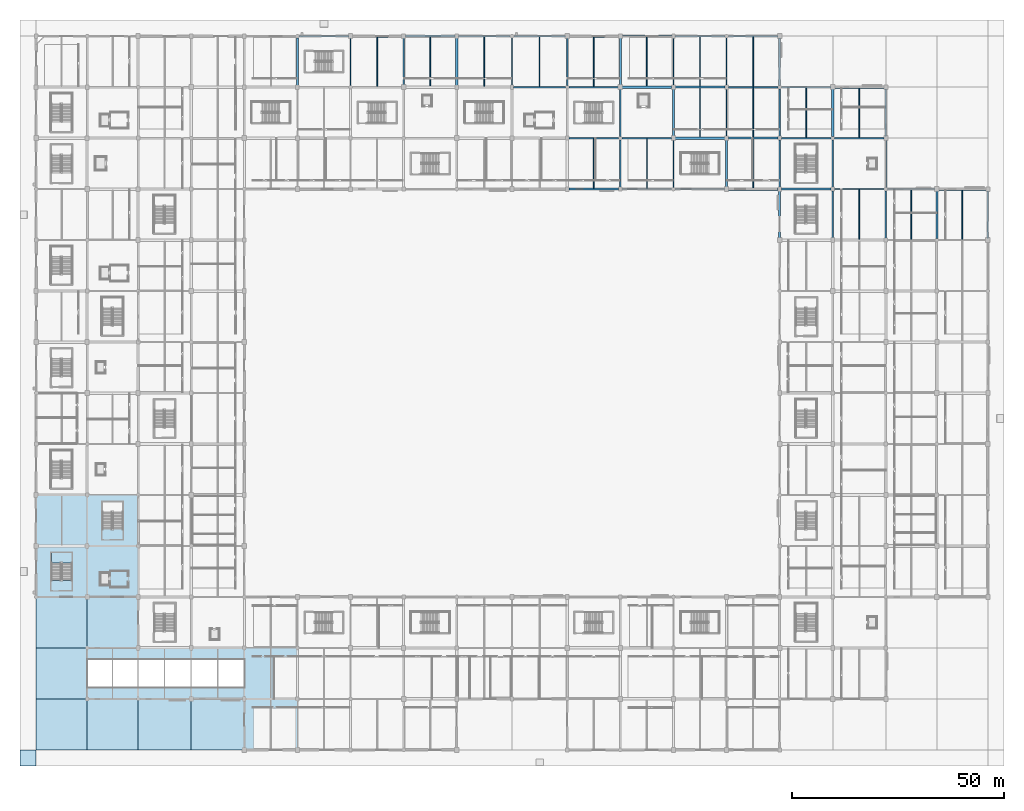
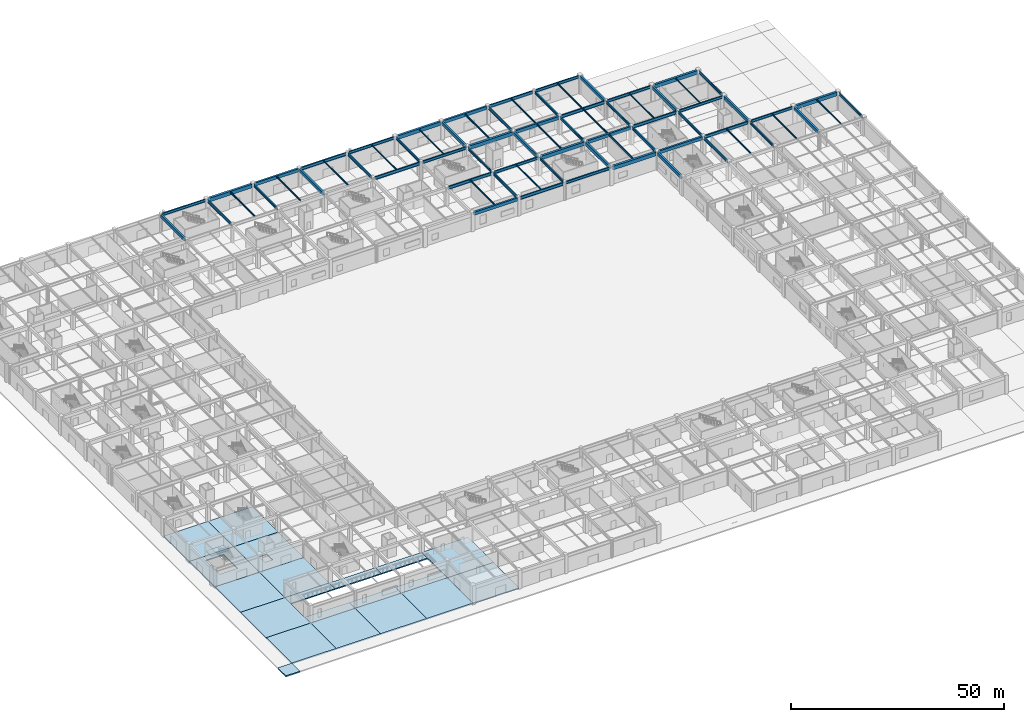
# One storey, part 8 of 69: 75 beams, 21 slabs, 1 element without a shape of its own.
"""IFC4 building model written with IfcOpenShell, lengths in metres."""

from ifc_helpers import new_model, si_unit, direction, frame, origin, origin_2d, place, context, subcontext, project, spatial, polyline, rectangle, i_section, outline, extrude, material, layer, layer_set, material_profile, profile_set, type_object, element, aggregate, save


model = new_model("IFC4")

# Units and contexts
model_context = context("Model", 3, precision=1e-05, world=origin(), true_north=direction((0.0, 1.0)))
body_context = subcontext(model_context, "Body", "Model", "MODEL_VIEW")
ifc_project = project(units=[si_unit("LENGTHUNIT", "METRE"), si_unit("AREAUNIT", "SQUARE_METRE"), si_unit("VOLUMEUNIT", "CUBIC_METRE"), si_unit("PLANEANGLEUNIT", "RADIAN"), si_unit("MASSUNIT", "GRAM", prefix="KILO")], contexts=[model_context])

# Site, building, storey
site_placement = place(None, origin())
site = spatial("IfcSite", under=ifc_project, at=site_placement, CompositionType="ELEMENT")
building_placement = place(site_placement, origin())
building = spatial("IfcBuilding", under=site, at=building_placement, Name="Kazenohara Klinker Stadium", CompositionType="ELEMENT")
storey_placement = place(building_placement, origin())
storey = spatial("IfcBuildingStorey", under=building, at=storey_placement, Name="L00", CompositionType="ELEMENT", Elevation=0.0)

# Beams
ifc_material_1 = material(Name="Steel S355", Category="steel")
ifc_material_profile_1 = material_profile(ifc_material_1, i_section(OverallWidth=0.199951171875, OverallDepth=0.5, WebThickness=0.010009765625, FlangeThickness=0.01611328125, FilletRadius=0.012939453125, at=origin_2d()), Name="H-500x200x10x16")
ifc_profile_set_1 = profile_set([ifc_material_profile_1], Name="Steel S355")
beam_type_1 = type_object("IfcBeamType", Name="BM-JST01", PredefinedType="JOIST", material=ifc_profile_set_1)
beam_1_placement = place(storey_placement, frame((80.25, 156.14990234375, 4.889892578125), z_axis=(0.0, 1.0, 0.0), x_axis=(-1.0, 0.0, 0.0)))
element("IfcBeam", 1, at=beam_1_placement, inside=storey, type_object=beam_type_1, Name="Secondary floor joist SJ01 L00 7/P", PredefinedType="JOIST", context=body_context, shape_type="SweptSolid", body=[
    extrude(i_section(OverallWidth=0.199951171875, OverallDepth=0.5, WebThickness=0.010009765625, FlangeThickness=0.01611328125, FilletRadius=0.012939453125, at=origin_2d()), origin(), (0.0, 0.0, 1.0), 11.550048828125),
])
for number, where, z_axis, x_axis, name in (
    (2, (143.75, 156.300048828125, 4.889892578125), (0.0, 1.0, 0.0), (-1.0, 0.0, 0.0), "Secondary floor joist SJ01 L00 12/P"),
    (3, (156.25, 144.300048828125, 4.889892578125), (0.0, 1.0, 0.0), (-1.0, 0.0, 0.0), "Secondary floor joist SJ01 L00 13/N"),
    (4, (168.75, 132.300048828125, 4.889892578125), (0.0, 1.0, 0.0), (-1.0, 0.0, 0.0), "Secondary floor joist SJ01 L00 14/M"),
):
    element("IfcBeam", number, at=place(storey_placement, frame(where, z_axis=z_axis, x_axis=x_axis)), inside=storey, type_object=beam_type_1, Name=name, PredefinedType="JOIST", context=body_context, shape_type="SweptSolid", body=[
        extrude(i_section(OverallWidth=0.199951171875, OverallDepth=0.5, WebThickness=0.010009765625, FlangeThickness=0.01611328125, FilletRadius=0.012939453125, at=origin_2d()), origin(), (0.0, 0.0, 1.0), 11.449951171875),
    ])
ifc_material_profile_2 = material_profile(ifc_material_1, i_section(OverallWidth=0.199951171875, OverallDepth=0.449951171875, WebThickness=0.009033203125, FlangeThickness=0.013916015625, FilletRadius=0.012939453125, at=origin_2d()), Name="H-450x200x9x14")
ifc_profile_set_2 = profile_set([ifc_material_profile_2], Name="Steel S355")
beam_type_2 = type_object("IfcBeamType", Name="BM-JST02", PredefinedType="JOIST", material=ifc_profile_set_2)
beam_2_placement = place(storey_placement, frame((92.75, 156.300048828125, 4.9150390625), z_axis=(0.0, 1.0, 0.0), x_axis=(-1.0, 0.0, 0.0)))
element("IfcBeam", 5, at=beam_2_placement, inside=storey, type_object=beam_type_2, Name="Secondary floor joist SJ02 L00 8/P", PredefinedType="JOIST", context=body_context, shape_type="SweptSolid", body=[
    extrude(i_section(OverallWidth=0.199951171875, OverallDepth=0.449951171875, WebThickness=0.009033203125, FlangeThickness=0.013916015625, FilletRadius=0.012939453125, at=origin_2d()), origin(), (0.0, 0.0, 1.0), 11.449951171875),
])
for number, where, z_axis, x_axis, name in (
    (6, (156.25, 156.25, 4.9150390625), (0.0, 1.0, 0.0), (-1.0, 0.0, 0.0), "Secondary floor joist SJ02 L00 13/P"),
    (7, (168.75, 144.25, 4.9150390625), (0.0, 1.0, 0.0), (-1.0, 0.0, 0.0), "Secondary floor joist SJ02 L00 14/N"),
    (8, (193.75, 120.25, 4.9150390625), (0.0, 1.0, 0.0), (-1.0, 0.0, 0.0), "Secondary floor joist SJ02 L00 16/L"),
):
    element("IfcBeam", number, at=place(storey_placement, frame(where, z_axis=z_axis, x_axis=x_axis)), inside=storey, type_object=beam_type_2, Name=name, PredefinedType="JOIST", context=body_context, shape_type="SweptSolid", body=[
        extrude(i_section(OverallWidth=0.199951171875, OverallDepth=0.449951171875, WebThickness=0.009033203125, FlangeThickness=0.013916015625, FilletRadius=0.012939453125, at=origin_2d()), origin(), (0.0, 0.0, 1.0), 11.60009765625),
    ])
ifc_material_profile_3 = material_profile(ifc_material_1, i_section(OverallWidth=0.199951171875, OverallDepth=0.39990234375, WebThickness=0.008056640625, FlangeThickness=0.012939453125, FilletRadius=0.012939453125, at=origin_2d()), Name="H-400x200x8x13")
ifc_profile_set_3 = profile_set([ifc_material_profile_3], Name="Steel S355")
beam_type_3 = type_object("IfcBeamType", Name="BM-JST03", PredefinedType="JOIST", material=ifc_profile_set_3)
for number, where, z_axis, x_axis, name in (
    (9, (105.5, 156.25, 4.93994140625), (0.0, 1.0, 0.0), (-1.0, 0.0, 0.0), "Secondary floor joist SJ03 L00 9/P"),
    (10, (131.25, 132.25, 4.93994140625), (0.0, 1.0, 0.0), (-1.0, 0.0, 0.0), "Secondary floor joist SJ03 L00 11/M"),
):
    element("IfcBeam", number, at=place(storey_placement, frame(where, z_axis=z_axis, x_axis=x_axis)), inside=storey, type_object=beam_type_3, Name=name, PredefinedType="JOIST", context=body_context, shape_type="SweptSolid", body=[
        extrude(i_section(OverallWidth=0.199951171875, OverallDepth=0.39990234375, WebThickness=0.008056640625, FlangeThickness=0.012939453125, FilletRadius=0.012939453125, at=origin_2d()), origin(), (0.0, 0.0, 1.0), 11.60009765625),
    ])
for number, where, z_axis, x_axis, name in (
    (11, (168.75, 156.14990234375, 4.93994140625), (0.0, 1.0, 0.0), (-1.0, 0.0, 0.0), "Secondary floor joist SJ03 L00 14/P"),
    (12, (181.25, 144.14990234375, 4.93994140625), (0.0, 1.0, 0.0), (-1.0, 0.0, 0.0), "Secondary floor joist SJ03 L00 15/N"),
    (13, (206.0, 120.14990234375, 4.93994140625), (0.0, 1.0, 0.0), (-1.0, 0.0, 0.0), "Secondary floor joist SJ03 L00 17/L"),
):
    element("IfcBeam", number, at=place(storey_placement, frame(where, z_axis=z_axis, x_axis=x_axis)), inside=storey, type_object=beam_type_3, Name=name, PredefinedType="JOIST", context=body_context, shape_type="SweptSolid", body=[
        extrude(i_section(OverallWidth=0.199951171875, OverallDepth=0.39990234375, WebThickness=0.008056640625, FlangeThickness=0.012939453125, FilletRadius=0.012939453125, at=origin_2d()), origin(), (0.0, 0.0, 1.0), 11.7001953125),
    ])
ifc_material_profile_4 = material_profile(ifc_material_1, i_section(OverallWidth=0.175048828125, OverallDepth=0.35009765625, WebThickness=0.007080078125, FlangeThickness=0.010986328125, FilletRadius=0.012939453125, at=origin_2d()), Name="H-350x175x7x11")
ifc_profile_set_4 = profile_set([ifc_material_profile_4], Name="Steel S355")
beam_type_4 = type_object("IfcBeamType", Name="BM-JST04", PredefinedType="JOIST", material=ifc_profile_set_4)
for number, where, z_axis, x_axis, name in (
    (14, (118.5, 156.14990234375, 4.965087890625), (0.0, 1.0, 0.0), (-1.0, 0.0, 0.0), "Secondary floor joist SJ04 L00 10/P"),
    (15, (143.75, 132.14990234375, 4.965087890625), (0.0, 1.0, 0.0), (-1.0, 0.0, 0.0), "Secondary floor joist SJ04 L00 12/M"),
):
    element("IfcBeam", number, at=place(storey_placement, frame(where, z_axis=z_axis, x_axis=x_axis)), inside=storey, type_object=beam_type_4, Name=name, PredefinedType="JOIST", context=body_context, shape_type="SweptSolid", body=[
        extrude(i_section(OverallWidth=0.175048828125, OverallDepth=0.35009765625, WebThickness=0.007080078125, FlangeThickness=0.010986328125, FilletRadius=0.012939453125, at=origin_2d()), origin(), (0.0, 0.0, 1.0), 11.7001953125),
    ])
for number, where, z_axis, x_axis, name in (
    (16, (193.75, 144.14990234375, 4.965087890625), (0.0, 1.0, 0.0), (-1.0, 0.0, 0.0), "Secondary floor joist SJ04 L00 16/N"),
    (17, (218.0, 120.14990234375, 4.965087890625), (0.0, 1.0, 0.0), (-1.0, 0.0, 0.0), "Secondary floor joist SJ04 L00 18/L"),
):
    element("IfcBeam", number, at=place(storey_placement, frame(where, z_axis=z_axis, x_axis=x_axis)), inside=storey, type_object=beam_type_4, Name=name, PredefinedType="JOIST", context=body_context, shape_type="SweptSolid", body=[
        extrude(i_section(OverallWidth=0.175048828125, OverallDepth=0.35009765625, WebThickness=0.007080078125, FlangeThickness=0.010986328125, FilletRadius=0.012939453125, at=origin_2d()), origin(), (0.0, 0.0, 1.0), 11.550048828125),
    ])
ifc_material_profile_5 = material_profile(ifc_material_1, i_section(OverallWidth=0.14990234375, OverallDepth=0.300048828125, WebThickness=0.006591796875, FlangeThickness=0.009033203125, FilletRadius=0.012939453125, at=origin_2d()), Name="H-300x150x6.5x9")
ifc_profile_set_5 = profile_set([ifc_material_profile_5], Name="Steel S355")
beam_type_5 = type_object("IfcBeamType", Name="BM-JST05", PredefinedType="JOIST", material=ifc_profile_set_5)
beam_3_placement = place(storey_placement, frame((131.25, 156.14990234375, 4.989990234375), z_axis=(0.0, 1.0, 0.0), x_axis=(-1.0, 0.0, 0.0)))
element("IfcBeam", 18, at=beam_3_placement, inside=storey, type_object=beam_type_5, Name="Secondary floor joist SJ05 L00 11/P", PredefinedType="JOIST", context=body_context, shape_type="SweptSolid", body=[
    extrude(i_section(OverallWidth=0.14990234375, OverallDepth=0.300048828125, WebThickness=0.006591796875, FlangeThickness=0.009033203125, FilletRadius=0.012939453125, at=origin_2d()), origin(), (0.0, 0.0, 1.0), 11.550048828125),
])
ifc_material_2 = material(Name="Concrete C40/50", Category="concrete")
ifc_material_profile_6 = material_profile(ifc_material_2, rectangle(XDim=0.60009765625, YDim=1.050048828125, at=origin_2d()), Name="RC-BM-600x1050")
ifc_profile_set_6 = profile_set([ifc_material_profile_6], Name="Concrete C40/50")
beam_type_6 = type_object("IfcBeamType", Name="BM-RC01", PredefinedType="BEAM", material=ifc_profile_set_6)
for number, where, z_axis, x_axis, name in (
    (19, (74.419921875, 168.0, 4.614990234375), (1.0, 0.0, 0.0), (0.0, 1.0, 0.0), "Primary girder BG01 L00 7-8/Q"),
    (20, (125.419921875, 168.0, 4.614990234375), (1.0, 0.0, 0.0), (0.0, 1.0, 0.0), "Primary girder BG01 L00 11-12/Q"),
    (21, (137.919921875, 156.0, 4.614990234375), (1.0, 0.0, 0.0), (0.0, 1.0, 0.0), "Primary girder BG01 L00 12-13/P"),
    (22, (150.419921875, 144.0, 4.614990234375), (1.0, 0.0, 0.0), (0.0, 1.0, 0.0), "Primary girder BG01 L00 13-14/N"),
    (23, (162.919921875, 132.0, 4.614990234375), (1.0, 0.0, 0.0), (0.0, 1.0, 0.0), "Primary girder BG01 L00 14-15/M"),
    (24, (187.919921875, 156.0, 4.614990234375), (1.0, 0.0, 0.0), (0.0, 1.0, 0.0), "Primary girder BG01 L00 16-17/P"),
):
    element("IfcBeam", number, at=place(storey_placement, frame(where, z_axis=z_axis, x_axis=x_axis)), inside=storey, type_object=beam_type_6, Name=name, PredefinedType="BEAM", context=body_context, shape_type="SweptSolid", body=[
        extrude(rectangle(XDim=0.60009765625, YDim=1.050048828125, at=origin_2d()), origin(), (0.0, 0.0, 1.0), 11.66015625),
    ])
beam_4_placement = place(storey_placement, frame((212.419921875, 132.0, 4.614990234375), z_axis=(1.0, 0.0, 0.0), x_axis=(0.0, 1.0, 0.0)))
element("IfcBeam", 25, at=beam_4_placement, inside=storey, type_object=beam_type_6, Name="Primary girder BG01 L00 18-19/M", PredefinedType="BEAM", context=body_context, shape_type="SweptSolid", body=[
    extrude(rectangle(XDim=0.60009765625, YDim=1.050048828125, at=origin_2d()), origin(), (0.0, 0.0, 1.0), 11.16015625),
])
ifc_material_profile_7 = material_profile(ifc_material_2, rectangle(XDim=0.5, YDim=0.89990234375, at=origin_2d()), Name="RC-BM-500x900")
ifc_profile_set_7 = profile_set([ifc_material_profile_7], Name="Concrete C40/50")
beam_type_7 = type_object("IfcBeamType", Name="BM-RC02", PredefinedType="BEAM", material=ifc_profile_set_7)
for number, where, z_axis, x_axis, name in (
    (26, (86.919921875, 168.0, 4.68994140625), (1.0, 0.0, 0.0), (0.0, 1.0, 0.0), "Primary girder BG02 L00 8-9/Q"),
    (27, (125.419921875, 132.0, 4.68994140625), (1.0, 0.0, 0.0), (0.0, 1.0, 0.0), "Primary girder BG02 L00 11-12/M"),
    (28, (137.919921875, 168.0, 4.68994140625), (1.0, 0.0, 0.0), (0.0, 1.0, 0.0), "Primary girder BG02 L00 12-13/Q"),
    (29, (150.419921875, 156.0, 4.68994140625), (1.0, 0.0, 0.0), (0.0, 1.0, 0.0), "Primary girder BG02 L00 13-14/P"),
    (30, (162.919921875, 144.0, 4.68994140625), (1.0, 0.0, 0.0), (0.0, 1.0, 0.0), "Primary girder BG02 L00 14-15/N"),
    (31, (175.419921875, 132.0, 4.68994140625), (1.0, 0.0, 0.0), (0.0, 1.0, 0.0), "Primary girder BG02 L00 15-16/M"),
):
    element("IfcBeam", number, at=place(storey_placement, frame(where, z_axis=z_axis, x_axis=x_axis)), inside=storey, type_object=beam_type_7, Name=name, PredefinedType="BEAM", context=body_context, shape_type="SweptSolid", body=[
        extrude(rectangle(XDim=0.5, YDim=0.89990234375, at=origin_2d()), origin(), (0.0, 0.0, 1.0), 11.68017578125),
    ])
for number, where, z_axis, x_axis, name in (
    (32, (61.5, 156.419921875, 4.68994140625), (0.0, 1.0, 0.0), (-1.0, 0.0, 0.0), "Primary girder BG02 L00 6/P-Q"),
    (33, (99.0, 156.419921875, 4.68994140625), (0.0, 1.0, 0.0), (-1.0, 0.0, 0.0), "Primary girder BG02 L00 9/P-Q"),
    (34, (137.5, 156.419921875, 4.68994140625), (0.0, 1.0, 0.0), (-1.0, 0.0, 0.0), "Primary girder BG02 L00 12/P-Q"),
    (35, (150.0, 144.419921875, 4.68994140625), (0.0, 1.0, 0.0), (-1.0, 0.0, 0.0), "Primary girder BG02 L00 13/N-P"),
    (36, (162.5, 132.419921875, 4.68994140625), (0.0, 1.0, 0.0), (-1.0, 0.0, 0.0), "Primary girder BG02 L00 14/M-N"),
    (37, (175.0, 120.419921875, 4.68994140625), (0.0, 1.0, 0.0), (-1.0, 0.0, 0.0), "Primary girder BG02 L00 15/L-M"),
    (38, (175.0, 156.419921875, 4.68994140625), (0.0, 1.0, 0.0), (-1.0, 0.0, 0.0), "Primary girder BG02 L00 15/P-Q"),
    (39, (187.5, 144.419921875, 4.68994140625), (0.0, 1.0, 0.0), (-1.0, 0.0, 0.0), "Primary girder BG02 L00 16/N-P"),
    (40, (200.0, 132.419921875, 4.68994140625), (0.0, 1.0, 0.0), (-1.0, 0.0, 0.0), "Primary girder BG02 L00 17/M-N"),
    (41, (212.0, 120.419921875, 4.68994140625), (0.0, 1.0, 0.0), (-1.0, 0.0, 0.0), "Primary girder BG02 L00 18/L-M"),
):
    element("IfcBeam", number, at=place(storey_placement, frame(where, z_axis=z_axis, x_axis=x_axis)), inside=storey, type_object=beam_type_7, Name=name, PredefinedType="BEAM", context=body_context, shape_type="SweptSolid", body=[
        extrude(rectangle(XDim=0.5, YDim=0.89990234375, at=origin_2d()), origin(), (0.0, 0.0, 1.0), 11.16015625),
    ])
ifc_material_profile_8 = material_profile(ifc_material_1, i_section(OverallWidth=0.300048828125, OverallDepth=0.89990234375, WebThickness=0.01611328125, FlangeThickness=0.028076171875, FilletRadius=0.02197265625, at=origin_2d()), Name="H-900x300x16x28")
ifc_profile_set_8 = profile_set([ifc_material_profile_8], Name="Steel S355")
beam_type_8 = type_object("IfcBeamType", Name="BM-ST01", PredefinedType="BEAM", material=ifc_profile_set_8)
for number, where, z_axis, x_axis, name in (
    (42, (99.39990234375, 168.0, 4.68994140625), (1.0, 0.0, 0.0), (0.0, 1.0, 0.0), "Primary girder SB01 L00 9-10/Q"),
    (43, (112.39990234375, 156.0, 4.68994140625), (1.0, 0.0, 0.0), (0.0, 1.0, 0.0), "Primary girder SB01 L00 10-11/P"),
):
    element("IfcBeam", number, at=place(storey_placement, frame(where, z_axis=z_axis, x_axis=x_axis)), inside=storey, type_object=beam_type_8, Name=name, PredefinedType="BEAM", context=body_context, shape_type="SweptSolid", body=[
        extrude(i_section(OverallWidth=0.300048828125, OverallDepth=0.89990234375, WebThickness=0.01611328125, FlangeThickness=0.028076171875, FilletRadius=0.02197265625, at=origin_2d()), origin(), (0.0, 0.0, 1.0), 12.18017578125),
    ])
for number, where, z_axis, x_axis, name in (
    (44, (125.39990234375, 144.0, 4.68994140625), (1.0, 0.0, 0.0), (0.0, 1.0, 0.0), "Primary girder SB01 L00 11-12/N"),
    (45, (137.89990234375, 132.0, 4.68994140625), (1.0, 0.0, 0.0), (0.0, 1.0, 0.0), "Primary girder SB01 L00 12-13/M"),
    (46, (150.39990234375, 168.0, 4.68994140625), (1.0, 0.0, 0.0), (0.0, 1.0, 0.0), "Primary girder SB01 L00 13-14/Q"),
    (47, (162.89990234375, 156.0, 4.68994140625), (1.0, 0.0, 0.0), (0.0, 1.0, 0.0), "Primary girder SB01 L00 14-15/P"),
    (48, (175.39990234375, 144.0, 4.68994140625), (1.0, 0.0, 0.0), (0.0, 1.0, 0.0), "Primary girder SB01 L00 15-16/N"),
    (49, (187.89990234375, 132.0, 4.68994140625), (1.0, 0.0, 0.0), (0.0, 1.0, 0.0), "Primary girder SB01 L00 16-17/M"),
):
    element("IfcBeam", number, at=place(storey_placement, frame(where, z_axis=z_axis, x_axis=x_axis)), inside=storey, type_object=beam_type_8, Name=name, PredefinedType="BEAM", context=body_context, shape_type="SweptSolid", body=[
        extrude(i_section(OverallWidth=0.300048828125, OverallDepth=0.89990234375, WebThickness=0.01611328125, FlangeThickness=0.028076171875, FilletRadius=0.02197265625, at=origin_2d()), origin(), (0.0, 0.0, 1.0), 11.68017578125),
    ])
ifc_material_profile_9 = material_profile(ifc_material_1, i_section(OverallWidth=0.300048828125, OverallDepth=0.800048828125, WebThickness=0.013916015625, FlangeThickness=0.02587890625, FilletRadius=0.02197265625, at=origin_2d()), Name="H-800x300x14x26")
ifc_profile_set_9 = profile_set([ifc_material_profile_9], Name="Steel S355")
beam_type_9 = type_object("IfcBeamType", Name="BM-ST02", PredefinedType="BEAM", material=ifc_profile_set_9)
beam_5_placement = place(storey_placement, frame((61.919921875, 168.0, 4.739990234375), z_axis=(1.0, 0.0, 0.0), x_axis=(0.0, 1.0, 0.0)))
element("IfcBeam", 50, at=beam_5_placement, inside=storey, type_object=beam_type_9, Name="Primary girder SB02 L00 6-7/Q", PredefinedType="BEAM", context=body_context, shape_type="SweptSolid", body=[
    extrude(i_section(OverallWidth=0.300048828125, OverallDepth=0.800048828125, WebThickness=0.013916015625, FlangeThickness=0.02587890625, FilletRadius=0.02197265625, at=origin_2d()), origin(), (0.0, 0.0, 1.0), 11.66015625),
])
beam_6_placement = place(storey_placement, frame((112.419921875, 168.0, 4.739990234375), z_axis=(1.0, 0.0, 0.0), x_axis=(0.0, 1.0, 0.0)))
element("IfcBeam", 51, at=beam_6_placement, inside=storey, type_object=beam_type_9, Name="Primary girder SB02 L00 10-11/Q", PredefinedType="BEAM", context=body_context, shape_type="SweptSolid", body=[
    extrude(i_section(OverallWidth=0.300048828125, OverallDepth=0.800048828125, WebThickness=0.013916015625, FlangeThickness=0.02587890625, FilletRadius=0.02197265625, at=origin_2d()), origin(), (0.0, 0.0, 1.0), 12.16015625),
])
for number, where, z_axis, x_axis, name in (
    (52, (125.419921875, 156.0, 4.739990234375), (1.0, 0.0, 0.0), (0.0, 1.0, 0.0), "Primary girder SB02 L00 11-12/P"),
    (53, (137.919921875, 144.0, 4.739990234375), (1.0, 0.0, 0.0), (0.0, 1.0, 0.0), "Primary girder SB02 L00 12-13/N"),
    (54, (150.419921875, 132.0, 4.739990234375), (1.0, 0.0, 0.0), (0.0, 1.0, 0.0), "Primary girder SB02 L00 13-14/M"),
    (55, (162.919921875, 168.0, 4.739990234375), (1.0, 0.0, 0.0), (0.0, 1.0, 0.0), "Primary girder SB02 L00 14-15/Q"),
    (56, (175.419921875, 156.0, 4.739990234375), (1.0, 0.0, 0.0), (0.0, 1.0, 0.0), "Primary girder SB02 L00 15-16/P"),
    (57, (187.919921875, 144.0, 4.739990234375), (1.0, 0.0, 0.0), (0.0, 1.0, 0.0), "Primary girder SB02 L00 16-17/N"),
):
    element("IfcBeam", number, at=place(storey_placement, frame(where, z_axis=z_axis, x_axis=x_axis)), inside=storey, type_object=beam_type_9, Name=name, PredefinedType="BEAM", context=body_context, shape_type="SweptSolid", body=[
        extrude(i_section(OverallWidth=0.300048828125, OverallDepth=0.800048828125, WebThickness=0.013916015625, FlangeThickness=0.02587890625, FilletRadius=0.02197265625, at=origin_2d()), origin(), (0.0, 0.0, 1.0), 11.66015625),
    ])
for number, where, z_axis, x_axis, name in (
    (58, (200.419921875, 132.0, 4.739990234375), (1.0, 0.0, 0.0), (0.0, 1.0, 0.0), "Primary girder SB02 L00 17-18/M"),
    (59, (74.0, 156.419921875, 4.739990234375), (0.0, 1.0, 0.0), (-1.0, 0.0, 0.0), "Primary girder SB02 L00 7/P-Q"),
    (60, (112.0, 156.419921875, 4.739990234375), (0.0, 1.0, 0.0), (-1.0, 0.0, 0.0), "Primary girder SB02 L00 10/P-Q"),
    (61, (137.5, 132.419921875, 4.739990234375), (0.0, 1.0, 0.0), (-1.0, 0.0, 0.0), "Primary girder SB02 L00 12/M-N"),
    (62, (150.0, 156.419921875, 4.739990234375), (0.0, 1.0, 0.0), (-1.0, 0.0, 0.0), "Primary girder SB02 L00 13/P-Q"),
    (63, (162.5, 144.419921875, 4.739990234375), (0.0, 1.0, 0.0), (-1.0, 0.0, 0.0), "Primary girder SB02 L00 14/N-P"),
    (64, (175.0, 132.419921875, 4.739990234375), (0.0, 1.0, 0.0), (-1.0, 0.0, 0.0), "Primary girder SB02 L00 15/M-N"),
    (65, (187.5, 120.419921875, 4.739990234375), (0.0, 1.0, 0.0), (-1.0, 0.0, 0.0), "Primary girder SB02 L00 16/L-M"),
    (66, (200.0, 144.419921875, 4.739990234375), (0.0, 1.0, 0.0), (-1.0, 0.0, 0.0), "Primary girder SB02 L00 17/N-P"),
    (67, (224.0, 120.419921875, 4.739990234375), (0.0, 1.0, 0.0), (-1.0, 0.0, 0.0), "Primary girder SB02 L00 19/L-M"),
):
    element("IfcBeam", number, at=place(storey_placement, frame(where, z_axis=z_axis, x_axis=x_axis)), inside=storey, type_object=beam_type_9, Name=name, PredefinedType="BEAM", context=body_context, shape_type="SweptSolid", body=[
        extrude(i_section(OverallWidth=0.300048828125, OverallDepth=0.800048828125, WebThickness=0.013916015625, FlangeThickness=0.02587890625, FilletRadius=0.02197265625, at=origin_2d()), origin(), (0.0, 0.0, 1.0), 11.16015625),
    ])
ifc_material_profile_10 = material_profile(ifc_material_1, i_section(OverallWidth=0.300048828125, OverallDepth=0.699951171875, WebThickness=0.012939453125, FlangeThickness=0.02392578125, FilletRadius=0.02197265625, at=origin_2d()), Name="H-700x300x13x24")
ifc_profile_set_10 = profile_set([ifc_material_profile_10], Name="Steel S355")
beam_type_10 = type_object("IfcBeamType", Name="BM-ST03", PredefinedType="BEAM", material=ifc_profile_set_10)
for number, where, z_axis, x_axis, name in (
    (68, (86.5, 156.419921875, 4.7900390625), (0.0, 1.0, 0.0), (-1.0, 0.0, 0.0), "Primary girder SB03 L00 8/P-Q"),
    (69, (125.0, 156.419921875, 4.7900390625), (0.0, 1.0, 0.0), (-1.0, 0.0, 0.0), "Primary girder SB03 L00 11/P-Q"),
    (70, (137.5, 144.419921875, 4.7900390625), (0.0, 1.0, 0.0), (-1.0, 0.0, 0.0), "Primary girder SB03 L00 12/N-P"),
    (71, (150.0, 132.419921875, 4.7900390625), (0.0, 1.0, 0.0), (-1.0, 0.0, 0.0), "Primary girder SB03 L00 13/M-N"),
    (72, (162.5, 156.419921875, 4.7900390625), (0.0, 1.0, 0.0), (-1.0, 0.0, 0.0), "Primary girder SB03 L00 14/P-Q"),
    (73, (175.0, 144.419921875, 4.7900390625), (0.0, 1.0, 0.0), (-1.0, 0.0, 0.0), "Primary girder SB03 L00 15/N-P"),
    (74, (187.5, 132.419921875, 4.7900390625), (0.0, 1.0, 0.0), (-1.0, 0.0, 0.0), "Primary girder SB03 L00 16/M-N"),
    (75, (200.0, 120.419921875, 4.7900390625), (0.0, 1.0, 0.0), (-1.0, 0.0, 0.0), "Primary girder SB03 L00 17/L-M"),
):
    element("IfcBeam", number, at=place(storey_placement, frame(where, z_axis=z_axis, x_axis=x_axis)), inside=storey, type_object=beam_type_10, Name=name, PredefinedType="BEAM", context=body_context, shape_type="SweptSolid", body=[
        extrude(i_section(OverallWidth=0.300048828125, OverallDepth=0.699951171875, WebThickness=0.012939453125, FlangeThickness=0.02392578125, FilletRadius=0.02197265625, at=origin_2d()), origin(), (0.0, 0.0, 1.0), 11.16015625),
    ])

# Slabs
ifc_layer_1 = layer(ifc_material_2, 0.340087890625)
ifc_layer_set_1 = layer_set([ifc_layer_1], Name="Concrete C40/50")
slab_type_1 = type_object("IfcSlabType", Name="SLB-APR-340", PredefinedType="FLOOR", material=ifc_layer_set_1)
slab_1_placement = place(storey_placement, frame((0.0, 0.0, -0.340087890625)))
element("IfcSlab", 76, at=slab_1_placement, inside=storey, type_object=slab_type_1, Name="Southwest vehicle ramp street apron slab AP01", PredefinedType="FLOOR", context=body_context, shape_type="SweptSolid", body=[
    extrude(outline(polyline([(0.0, 12.0), (12.0, 12.0), (12.0, 24.0), (0.0, 24.0), (0.0, 12.0)])), origin(), (0.0, 0.0, 1.0), 0.340087890625),
])
slab_2_placement = place(storey_placement, frame((0.0, 0.0, -0.340087890625)))
element("IfcSlab", 77, at=slab_2_placement, inside=storey, type_object=slab_type_1, Name="Exterior arrival forecourt paving slab AP01 1/A", PredefinedType="FLOOR", context=body_context, shape_type="SweptSolid", body=[
    extrude(outline(polyline([(0.0, 0.0), (12.0, 0.0), (12.0, 12.0), (0.0, 12.0), (0.0, 0.0)])), origin(), (0.0, 0.0, 1.0), 0.340087890625),
])
slab_3_placement = place(storey_placement, frame((0.0, 0.0, -0.340087890625)))
element("IfcSlab", 78, at=slab_3_placement, inside=storey, type_object=slab_type_1, Name="Exterior arrival forecourt paving slab AP01 1/C", PredefinedType="FLOOR", context=body_context, shape_type="SweptSolid", body=[
    extrude(outline(polyline([(0.0, 24.0), (12.0, 24.0), (12.0, 36.0), (0.0, 36.0), (0.0, 24.0)])), origin(), (0.0, 0.0, 1.0), 0.340087890625),
])
slab_4_placement = place(storey_placement, frame((0.0, 0.0, -0.340087890625)))
element("IfcSlab", 79, at=slab_4_placement, inside=storey, type_object=slab_type_1, Name="Exterior arrival forecourt paving slab AP01 2/A", PredefinedType="FLOOR", context=body_context, shape_type="SweptSolid", body=[
    extrude(outline(polyline([(12.0, 0.0), (24.0, 0.0), (24.0, 12.0), (12.0, 12.0), (12.0, 0.0)])), origin(), (0.0, 0.0, 1.0), 0.340087890625),
])
slab_5_placement = place(storey_placement, frame((0.0, 0.0, -0.340087890625)))
element("IfcSlab", 80, at=slab_5_placement, inside=storey, type_object=slab_type_1, Name="Exterior arrival forecourt paving slab AP01 2/C", PredefinedType="FLOOR", context=body_context, shape_type="SweptSolid", body=[
    extrude(outline(polyline([(12.0, 24.0), (24.0, 24.0), (24.0, 36.0), (12.0, 36.0), (12.0, 24.0)])), origin(), (0.0, 0.0, 1.0), 0.340087890625),
])
slab_6_placement = place(storey_placement, frame((0.0, 0.0, -0.340087890625)))
element("IfcSlab", 81, at=slab_6_placement, inside=storey, type_object=slab_type_1, Name="Exterior arrival forecourt paving slab AP01 3/A", PredefinedType="FLOOR", context=body_context, shape_type="SweptSolid", body=[
    extrude(outline(polyline([(24.0, 0.0), (36.5, 0.0), (36.5, 12.0), (24.0, 12.0), (24.0, 0.0)])), origin(), (0.0, 0.0, 1.0), 0.340087890625),
])
slab_7_placement = place(storey_placement, frame((0.0, 0.0, -0.340087890625)))
element("IfcSlab", 82, at=slab_7_placement, inside=storey, type_object=slab_type_1, Name="Exterior arrival forecourt paving slab AP01 4/A", PredefinedType="FLOOR", context=body_context, shape_type="SweptSolid", body=[
    extrude(outline(polyline([(36.5, 0.0), (49.0, 0.0), (49.0, 12.0), (36.5, 12.0), (36.5, 0.0)])), origin(), (0.0, 0.0, 1.0), 0.340087890625),
])
slab_8_placement = place(storey_placement, frame((0.0, 0.0, -0.340087890625)))
element("IfcSlab", 83, at=slab_8_placement, inside=storey, type_object=slab_type_1, Name="Exterior plaza and pitch slab PLAZA-CRN-SW", PredefinedType="FLOOR", context=body_context, shape_type="SweptSolid", body=[
    extrude(outline(polyline([(-3.800048828125, -3.800048828125), (0.0, -3.800048828125), (0.0, 0.0), (-3.800048828125, 0.0), (-3.800048828125, -3.800048828125)])), origin(), (0.0, 0.0, 1.0), 0.340087890625),
])
ifc_layer_2 = layer(ifc_material_2, 0.300048828125)
ifc_layer_set_2 = layer_set([ifc_layer_2], Name="Concrete C40/50")
slab_type_2 = type_object("IfcSlabType", Name="SLB-FLR-300", PredefinedType="FLOOR", material=ifc_layer_set_2)
slab_9_placement = place(storey_placement, frame((0.0, 0.0, -0.300048828125)))
element("IfcSlab", 84, at=slab_9_placement, inside=storey, type_object=slab_type_2, Name="Floor slab FS01 L00 1/D", PredefinedType="FLOOR", context=body_context, shape_type="SweptSolid", body=[
    extrude(outline(polyline([(0.0, 36.0), (12.0, 36.0), (12.0, 48.0), (0.0, 48.0), (0.0, 36.0)]), holes=[polyline([(8.39990234375, 39.919921875), (8.39990234375, 46.4599609375), (3.60009765625, 46.4599609375), (3.60009765625, 39.919921875), (8.39990234375, 39.919921875)])]), origin(), (0.0, 0.0, 1.0), 0.300048828125),
])
slab_10_placement = place(storey_placement, frame((0.0, 0.0, -0.300048828125)))
element("IfcSlab", 85, at=slab_10_placement, inside=storey, type_object=slab_type_2, Name="Floor slab FS01 L00 1/E", PredefinedType="FLOOR", context=body_context, shape_type="SweptSolid", body=[
    extrude(outline(polyline([(0.0, 48.0), (12.0, 48.0), (12.0, 60.0), (0.0, 60.0), (0.0, 48.0)])), origin(), (0.0, 0.0, 1.0), 0.300048828125),
])
slab_11_placement = place(storey_placement, frame((0.0, 0.0, -0.300048828125)))
element("IfcSlab", 86, at=slab_11_placement, inside=storey, type_object=slab_type_2, Name="Floor slab FS01 L00 2/B South", PredefinedType="FLOOR", context=body_context, shape_type="SweptSolid", body=[
    extrude(outline(polyline([(12.0, 12.0), (24.0, 12.0), (24.0, 14.75), (12.0, 14.75), (12.0, 12.0)])), origin(), (0.0, 0.0, 1.0), 0.300048828125),
])
slab_12_placement = place(storey_placement, frame((0.0, 0.0, -0.300048828125)))
element("IfcSlab", 87, at=slab_12_placement, inside=storey, type_object=slab_type_2, Name="Floor slab FS01 L00 2/B North", PredefinedType="FLOOR", context=body_context, shape_type="SweptSolid", body=[
    extrude(outline(polyline([(12.0, 21.25), (24.0, 21.25), (24.0, 24.0), (12.0, 24.0), (12.0, 21.25)])), origin(), (0.0, 0.0, 1.0), 0.300048828125),
])
slab_13_placement = place(storey_placement, frame((0.0, 0.0, -0.300048828125)))
element("IfcSlab", 88, at=slab_13_placement, inside=storey, type_object=slab_type_2, Name="Floor slab FS01 L00 2/D", PredefinedType="FLOOR", context=body_context, shape_type="SweptSolid", body=[
    extrude(outline(polyline([(12.0, 36.0), (24.0, 36.0), (24.0, 48.0), (12.0, 48.0), (12.0, 36.0)]), holes=[polyline([(15.14990234375, 38.85009765625), (17.25, 38.85009765625), (17.25, 41.550048828125), (15.14990234375, 41.550048828125), (15.14990234375, 38.85009765625)])]), origin(), (0.0, 0.0, 1.0), 0.300048828125),
])
slab_14_placement = place(storey_placement, frame((0.0, 0.0, -0.300048828125)))
element("IfcSlab", 89, at=slab_14_placement, inside=storey, type_object=slab_type_2, Name="Floor slab FS01 L00 2/E", PredefinedType="FLOOR", context=body_context, shape_type="SweptSolid", body=[
    extrude(outline(polyline([(12.0, 48.0), (24.0, 48.0), (24.0, 60.0), (12.0, 60.0), (12.0, 48.0)])), origin(), (0.0, 0.0, 1.0), 0.300048828125),
])
slab_15_placement = place(storey_placement, frame((0.0, 0.0, -0.300048828125)))
element("IfcSlab", 90, at=slab_15_placement, inside=storey, type_object=slab_type_2, Name="Floor slab FS01 L00 3/B South", PredefinedType="FLOOR", context=body_context, shape_type="SweptSolid", body=[
    extrude(outline(polyline([(24.0, 12.0), (36.5, 12.0), (36.5, 14.75), (24.0, 14.75), (24.0, 12.0)])), origin(), (0.0, 0.0, 1.0), 0.300048828125),
])
slab_16_placement = place(storey_placement, frame((0.0, 0.0, -0.300048828125)))
element("IfcSlab", 91, at=slab_16_placement, inside=storey, type_object=slab_type_2, Name="Floor slab FS01 L00 3/B North", PredefinedType="FLOOR", context=body_context, shape_type="SweptSolid", body=[
    extrude(outline(polyline([(24.0, 21.25), (36.5, 21.25), (36.5, 24.0), (24.0, 24.0), (24.0, 21.25)])), origin(), (0.0, 0.0, 1.0), 0.300048828125),
])
slab_17_placement = place(storey_placement, frame((0.0, 0.0, -0.300048828125)))
element("IfcSlab", 92, at=slab_17_placement, inside=storey, type_object=slab_type_2, Name="Floor slab FS01 L00 4/B South", PredefinedType="FLOOR", context=body_context, shape_type="SweptSolid", body=[
    extrude(outline(polyline([(36.5, 12.0), (49.0, 12.0), (49.0, 14.75), (36.5, 14.75), (36.5, 12.0)])), origin(), (0.0, 0.0, 1.0), 0.300048828125),
])
slab_18_placement = place(storey_placement, frame((0.0, 0.0, -0.300048828125)))
element("IfcSlab", 93, at=slab_18_placement, inside=storey, type_object=slab_type_2, Name="Floor slab FS01 L00 4/B North", PredefinedType="FLOOR", context=body_context, shape_type="SweptSolid", body=[
    extrude(outline(polyline([(36.5, 21.25), (49.0, 21.25), (49.0, 24.0), (36.5, 24.0), (36.5, 21.25)])), origin(), (0.0, 0.0, 1.0), 0.300048828125),
])
slab_19_placement = place(storey_placement, frame((0.0, 0.0, -0.300048828125)))
element("IfcSlab", 94, at=slab_19_placement, inside=storey, type_object=slab_type_2, Name="Floor slab FS01 L00 5/A", PredefinedType="FLOOR", context=body_context, shape_type="SweptSolid", body=[
    extrude(outline(polyline([(49.0, 0.0), (61.5, 0.0), (61.5, 12.0), (49.0, 12.0), (49.0, 0.0)])), origin(), (0.0, 0.0, 1.0), 0.300048828125),
])
slab_20_placement = place(storey_placement, frame((0.0, 0.0, -0.300048828125)))
element("IfcSlab", 95, at=slab_20_placement, inside=storey, type_object=slab_type_2, Name="Floor slab FS01 L00 5/B", PredefinedType="FLOOR", context=body_context, shape_type="SweptSolid", body=[
    extrude(outline(polyline([(49.0, 12.0), (61.5, 12.0), (61.5, 24.0), (49.0, 24.0), (49.0, 12.0)])), origin(), (0.0, 0.0, 1.0), 0.300048828125),
])

# Stair, slab
stair_type = type_object("IfcStairType", Name="STR-DL-2300", PredefinedType="HALF_TURN_STAIR", material=ifc_material_2)
stair_placement = place(storey_placement, origin())
stair = element("IfcStair", 96, at=stair_placement, inside=storey, type_object=stair_type, Name="L00 Enclosed escape stair ST01", PredefinedType="HALF_TURN_STAIR")
ifc_layer_3 = layer(ifc_material_2, 0.199951171875)
ifc_layer_set_3 = layer_set([ifc_layer_3], Name="Concrete C40/50")
slab_type_3 = type_object("IfcSlabType", Name="SLB-LND-200", PredefinedType="LANDING", material=ifc_layer_set_3)
slab_21_placement = place(storey_placement, frame((0.0, 0.0, 2.5)))
slab_21 = element("IfcSlab", 97, at=slab_21_placement, type_object=slab_type_3, Name="ST01 landing 1", PredefinedType="LANDING", context=body_context, shape_type="SweptSolid", body=[
    extrude(outline(polyline([(8.39990234375, 44.0400390625), (8.39990234375, 46.4599609375), (3.60009765625, 46.4599609375), (3.60009765625, 44.0400390625), (8.39990234375, 44.0400390625)])), origin(), (0.0, 0.0, 1.0), 0.199951171875),
])
aggregate(stair, [slab_21])

save(model, "model.ifc")
